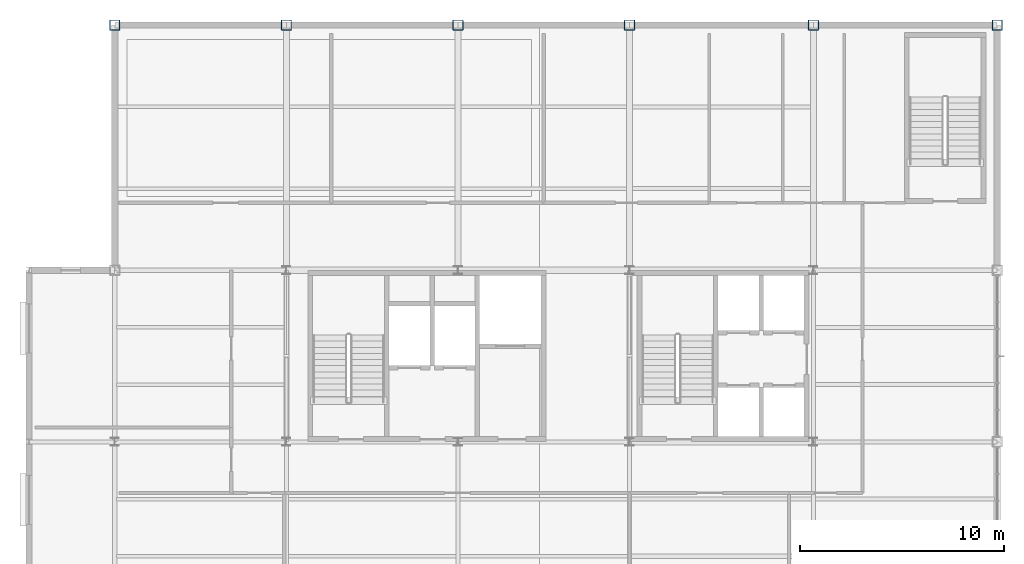
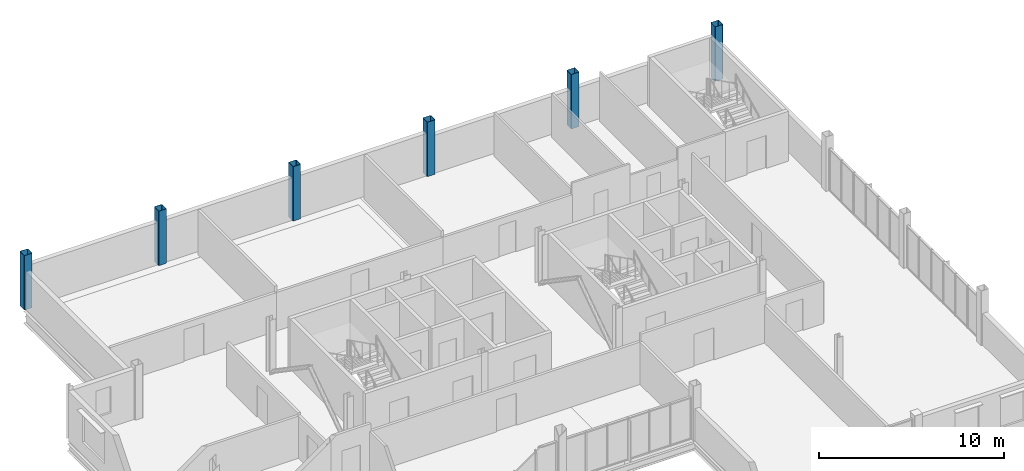
# One storey, part 4 of 19: 6 columns.
"""IFC4 building model written with IfcOpenShell, lengths in metres."""

from ifc_helpers import new_model, si_unit, direction, frame, origin, origin_2d, place, context, subcontext, project, spatial, hollow_rectangle, extrude, material, material_profile, profile_set, type_object, element, save


model = new_model("IFC4")

# Units and contexts
model_context = context("Model", 3, precision=1e-05, world=origin(), true_north=direction((0.0, 1.0)))
body_context = subcontext(model_context, "Body", "Model", "MODEL_VIEW")
ifc_project = project(units=[si_unit("LENGTHUNIT", "METRE"), si_unit("AREAUNIT", "SQUARE_METRE"), si_unit("VOLUMEUNIT", "CUBIC_METRE"), si_unit("PLANEANGLEUNIT", "RADIAN"), si_unit("MASSUNIT", "GRAM", prefix="KILO")], contexts=[model_context])

# Site, building, storey
site_placement = place(None, origin())
site = spatial("IfcSite", under=ifc_project, at=site_placement, CompositionType="ELEMENT")
building_placement = place(site_placement, origin())
building = spatial("IfcBuilding", under=site, at=building_placement, Name="Yukiwa Park Conservatory and Herbarium", CompositionType="ELEMENT")
storey_placement = place(building_placement, frame((0.0, 0.0, 31.800048828125)))
storey = spatial("IfcBuildingStorey", under=building, at=storey_placement, Name="L08", CompositionType="ELEMENT", Elevation=31.800048828125)

# Columns
ifc_material = material(Name="Steel Q355D", Category="steel")
ifc_material_profile = material_profile(ifc_material, hollow_rectangle(XDim=0.5, YDim=0.5, WallThickness=0.02001953125, InnerFilletRadius=0.02001953125, OuterFilletRadius=0.0400390625, at=origin_2d()), Name="BOX 500x500x20")
ifc_profile_set = profile_set([ifc_material_profile], Name="Steel Q355D")
column_type = type_object("IfcColumnType", Name="COL-TW-BOX500-EXT", PredefinedType="COLUMN", material=ifc_profile_set)
for number, where, z_axis, x_axis, name in (
    (1, (124.800048828125, 115.199951171875, 0.0), (0.0, 0.0, 1.0), (1.0, 0.0, 0.0), "L08 column V5-X1248-Y1152"),
    (2, (133.199951171875, 115.199951171875, 0.0), (0.0, 0.0, 1.0), (1.0, 0.0, 0.0), "L08 column V5-X1332-Y1152"),
    (3, (141.60009765625, 115.199951171875, 0.0), (0.0, 0.0, 1.0), (1.0, 0.0, 0.0), "L08 column V5-X1416-Y1152"),
    (4, (150.0, 115.199951171875, 0.0), (0.0, 0.0, 1.0), (1.0, 0.0, 0.0), "L08 column V5-X1500-Y1152"),
    (5, (159.0, 115.199951171875, 0.0), (0.0, 0.0, 1.0), (1.0, 0.0, 0.0), "L08 column V5-X1590-Y1152"),
    (6, (168.0, 115.199951171875, 0.0), (0.0, 0.0, 1.0), (1.0, 0.0, 0.0), "L08 column V5-X1680-Y1152"),
):
    element("IfcColumn", number, at=place(storey_placement, frame(where, z_axis=z_axis, x_axis=x_axis)), inside=storey, type_object=column_type, Name=name, PredefinedType="COLUMN", context=body_context, shape_type="SweptSolid", body=[
        extrude(hollow_rectangle(XDim=0.5, YDim=0.5, WallThickness=0.02001953125, InnerFilletRadius=0.02001953125, OuterFilletRadius=0.0400390625, at=origin_2d()), origin(), (0.0, 0.0, 1.0), 3.599853515625),
    ])

save(model, "model.ifc")
